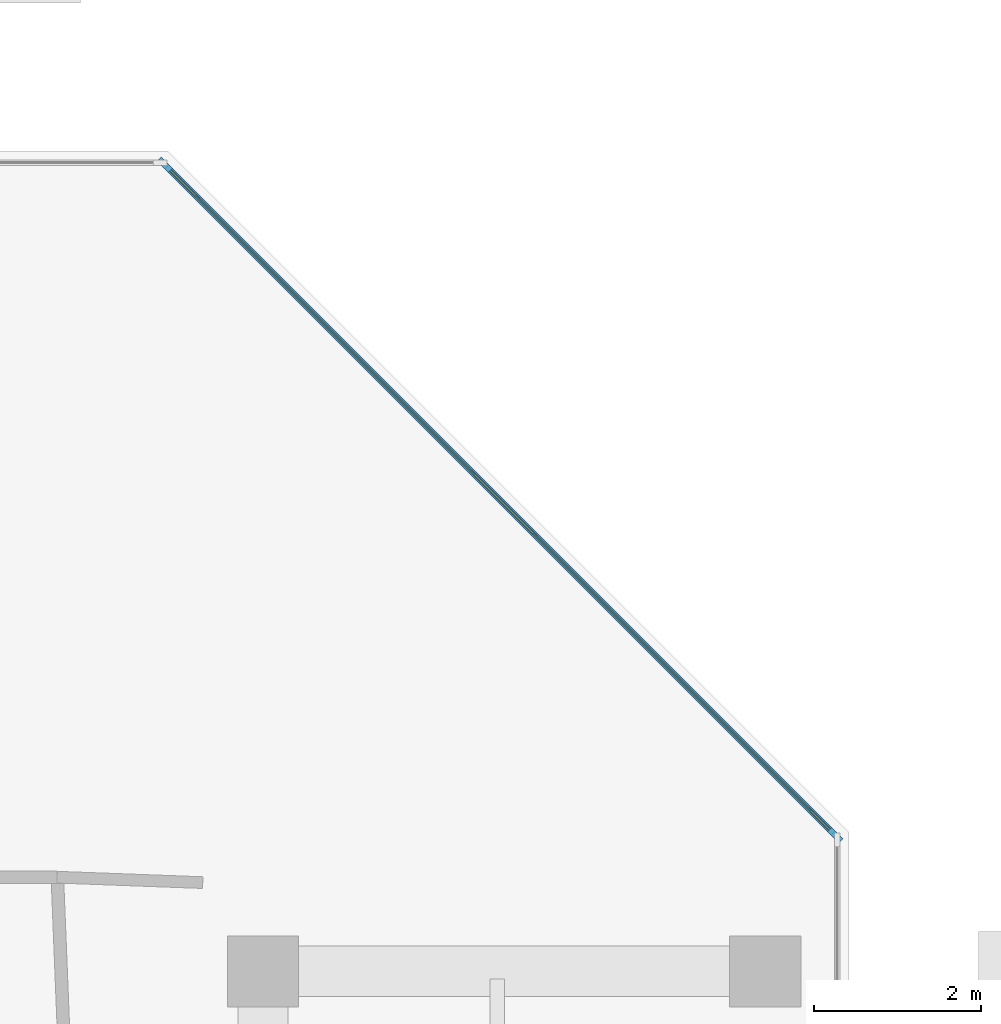
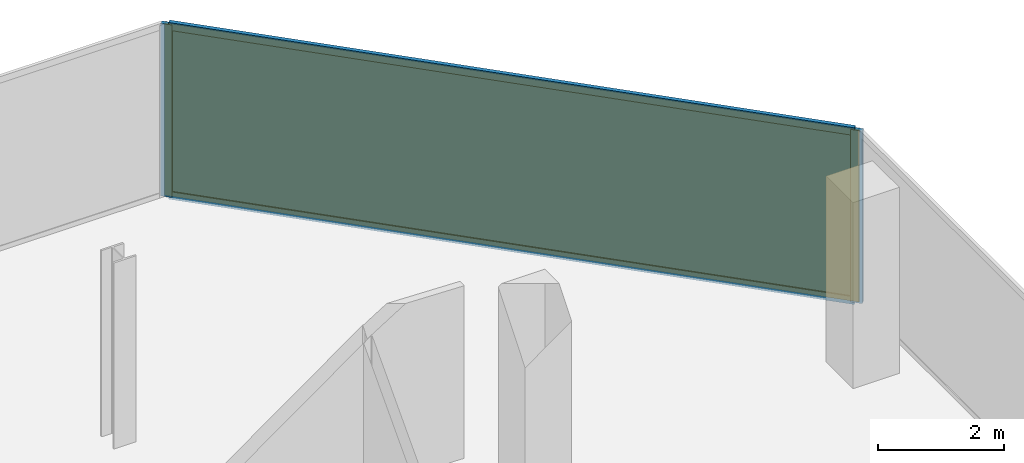
# One storey, part 11 of 15: 4 members, 1 curtain wall, 1 plate.
"""IFC4 building model written with IfcOpenShell, lengths in metres."""

from ifc_helpers import new_model, si_unit, direction, frame, frame_2d, origin, origin_2d, place, context, subcontext, project, spatial, rectangle, extrude, material, layer, layer_set, material_profile, profile_set, type_object, element, aggregate, save


model = new_model("IFC4")

# Units and contexts
model_context = context("Model", 3, precision=1e-05, world=origin(), true_north=direction((0.0, 1.0)))
body_context = subcontext(model_context, "Body", "Model", "MODEL_VIEW")
ifc_project = project(units=[si_unit("LENGTHUNIT", "METRE"), si_unit("AREAUNIT", "SQUARE_METRE"), si_unit("VOLUMEUNIT", "CUBIC_METRE"), si_unit("PLANEANGLEUNIT", "RADIAN"), si_unit("MASSUNIT", "GRAM", prefix="KILO")], contexts=[model_context])

# Member
ifc_material_1 = material(Name="Anodised Bronze Aluminium 6063-T6", Category="aluminium")
ifc_material_profile_1 = material_profile(ifc_material_1, rectangle(XDim=0.070068359375, YDim=0.18994140625, at=origin_2d()))
ifc_profile_set_1 = profile_set([ifc_material_profile_1], Name="Anodised Bronze Aluminium 6063-T6")
member_type_1 = type_object("IfcMemberType", Name="CW-SLC Mullion 70x190", PredefinedType="MULLION", material=ifc_profile_set_1)
site_placement = place(None, origin())
building_placement = place(site_placement, origin())
storey_placement = place(building_placement, frame((0.0, 0.0, 265.60009765625)))
member_1_placement = place(storey_placement, frame((13.226806640625, 24.03515625, 0.0), z_axis=(0.0, 0.0, 1.0), x_axis=(0.707106781187, 0.707106781187, 0.0)))
member_1 = element("IfcMember", 1, at=member_1_placement, type_object=member_type_1, Name="CW-SLC mullion 1", PredefinedType="MULLION", context=body_context, shape_type="SweptSolid", body=[
    extrude(rectangle(XDim=0.070068359375, YDim=0.18994140625, at=origin_2d()), origin(), (0.0, 0.0, 1.0), 3.33984375),
])

member_2_placement = place(storey_placement, frame((21.2353515625, 16.02685546875, 0.0), z_axis=(0.0, 0.0, 1.0), x_axis=(0.707106781187, 0.707106781187, 0.0)))
member_2 = element("IfcMember", 2, at=member_2_placement, type_object=member_type_1, Name="CW-SLC mullion 2", PredefinedType="MULLION", context=body_context, shape_type="SweptSolid", body=[
    extrude(rectangle(XDim=0.070068359375, YDim=0.18994140625, at=origin_2d()), origin(), (0.0, 0.0, 1.0), 3.33984375),
])

ifc_material_2 = material(Name="Anodised Bronze Aluminium 6063-T6", Category="aluminium")
ifc_material_profile_2 = material_profile(ifc_material_2, rectangle(XDim=0.070068359375, YDim=0.14990234375, at=origin_2d()))
ifc_profile_set_2 = profile_set([ifc_material_profile_2], Name="Anodised Bronze Aluminium 6063-T6")
member_type_2 = type_object("IfcMemberType", Name="CW-SLC Transom 70x150", PredefinedType="USERDEFINED", material=ifc_profile_set_2)
member_3_placement = place(storey_placement, frame((13.25146484375, 24.010498046875, 0.034912109375), z_axis=(0.707106781187, -0.707106781187, 0.0), x_axis=(0.707106781187, 0.707106781187, 0.0)))
member_3 = element("IfcMember", 3, at=member_3_placement, type_object=member_type_2, Name="CW-SLC transom 1.1", ObjectType="TRANSOM", PredefinedType="USERDEFINED", context=body_context, shape_type="SweptSolid", body=[
    extrude(rectangle(XDim=0.070068359375, YDim=0.14990234375, at=origin_2d()), origin(), (0.0, 0.0, 1.0), 11.255615234375),
])

member_4_placement = place(storey_placement, frame((13.25146484375, 24.010498046875, 3.304931640625), z_axis=(0.707106781187, -0.707106781187, 0.0), x_axis=(0.707106781187, 0.707106781187, 0.0)))
member_4 = element("IfcMember", 4, at=member_4_placement, type_object=member_type_2, Name="CW-SLC transom 1.2", ObjectType="TRANSOM", PredefinedType="USERDEFINED", context=body_context, shape_type="SweptSolid", body=[
    extrude(rectangle(XDim=0.070068359375, YDim=0.14990234375, at=origin_2d()), origin(), (0.0, 0.0, 1.0), 11.255615234375),
])

# Plate
ifc_material_3 = material(Name="Low-E Solar Control Laminated Glass", Category="glass")
ifc_layer_1 = layer(ifc_material_3, 0.033935546875, Name="Low-E Solar Control Laminated Glass")
ifc_layer_set_1 = layer_set([ifc_layer_1], Name="Low-E Solar Control Laminated Glass")
plate_type = type_object("IfcPlateType", Name="CW-SLC Low-E Double Glazed Panel 34mm", PredefinedType="CURTAIN_PANEL", material=ifc_layer_set_1)
plate_placement = place(storey_placement, frame((17.23095703125, 20.031005859375, 0.06982421875), z_axis=(0.0, 0.0, 1.0), x_axis=(0.707106781187, -0.707106781187, 0.0)))
plate = element("IfcPlate", 5, at=plate_placement, type_object=plate_type, Name="CW-SLC panel 1.1", PredefinedType="CURTAIN_PANEL", context=body_context, shape_type="SweptSolid", body=[
    extrude(rectangle(XDim=11.255615234375, YDim=0.033935546875, at=origin_2d()), origin(), (0.0, 0.0, 1.0), 3.199951171875),
])

# Site, building, storey
site = spatial("IfcSite", under=ifc_project, at=site_placement, CompositionType="ELEMENT")
building = spatial("IfcBuilding", under=site, at=building_placement, Name="Khairoan Windgate Tower", CompositionType="ELEMENT")
storey = spatial("IfcBuildingStorey", under=building, at=storey_placement, Name="L63", CompositionType="ELEMENT", Elevation=265.60009765625)

# Curtain wall
ifc_material_4 = material(Name="Anodised Bronze Aluminium 6063-T6", Category="aluminium")
ifc_layer_2 = layer(ifc_material_4, 0.18994140625, Name="Anodised Bronze Aluminium 6063-T6")
ifc_layer_set_2 = layer_set([ifc_layer_2], Name="Anodised Bronze Aluminium 6063-T6")
curtain_wall_type = type_object("IfcCurtainWallType", Name="Diagonal Corner-Slice Facet Curtain Wall CW-SLC", PredefinedType="NOTDEFINED", material=ifc_layer_set_2)
curtain_wall_placement = place(storey_placement, frame((13.201904296875, 24.06005859375, 0.0), z_axis=(0.0, 0.0, 1.0), x_axis=(0.707106781187, -0.707106781187, 0.0)))
curtain_wall = element("IfcCurtainWall", 6, at=curtain_wall_placement, inside=storey, type_object=curtain_wall_type, Name="L63 Crystal Slice Curtain Wall 10", PredefinedType="NOTDEFINED", context=body_context, shape_type="SweptSolid", body=[
    extrude(rectangle(XDim=11.39599609375, YDim=0.010009765625, at=frame_2d((5.697998046875, 0.0))), origin(), (0.0, 0.0, 1.0), 3.33984375),
])

aggregate(curtain_wall, [member_1, member_2, member_3, member_4, plate])

save(model, "model.ifc")
